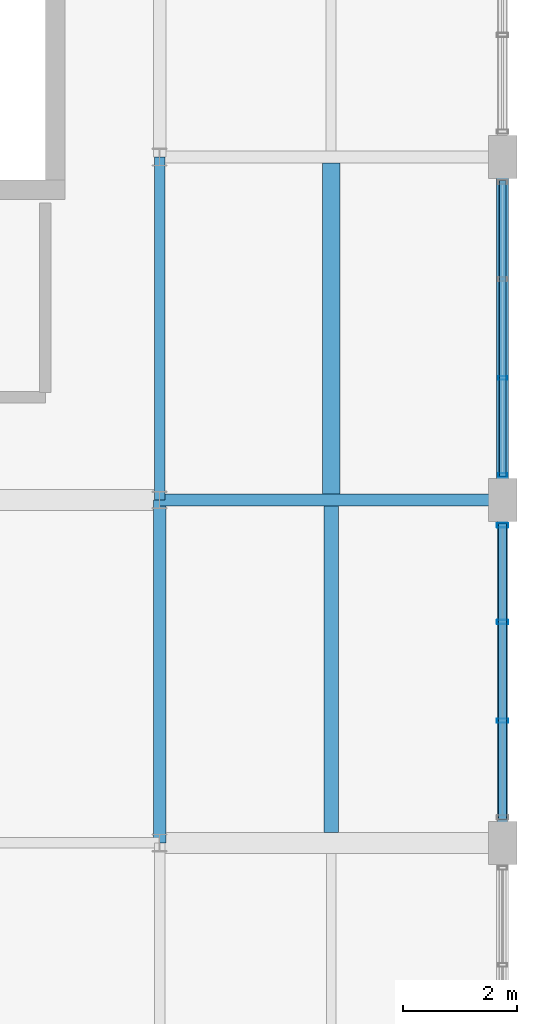
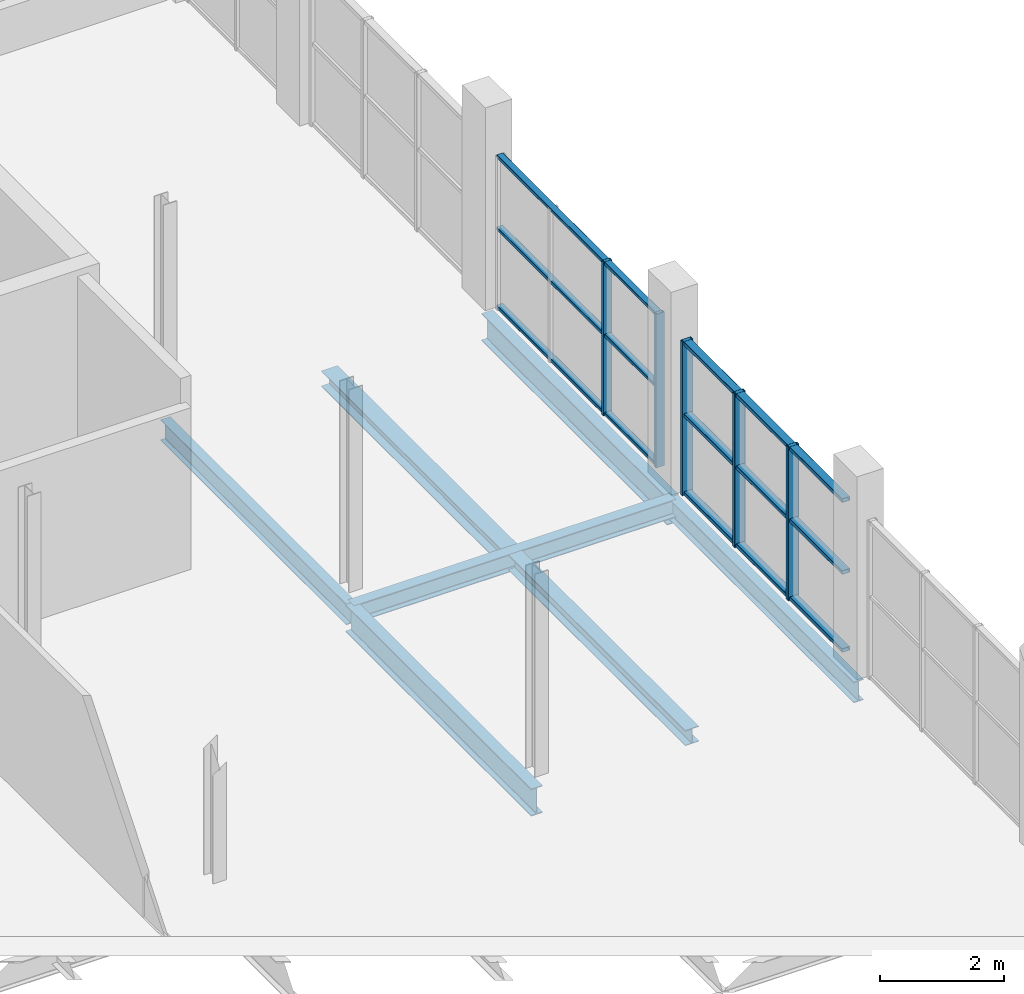
# One storey, part 66 of 96: 11 members, 7 beams, 2 elements without a shape of their own.
"""IFC4 building model written with IfcOpenShell, lengths in metres."""

from ifc_helpers import new_model, si_unit, direction, frame, origin, origin_2d, place, context, subcontext, project, spatial, hollow_rectangle, i_section, extrude, material, material_profile, profile_set, type_object, element, aggregate, save


model = new_model("IFC4")

# Units and contexts
model_context = context("Model", 3, precision=1e-05, world=origin(), true_north=direction((0.0, 1.0)))
body_context = subcontext(model_context, "Body", "Model", "MODEL_VIEW")
ifc_project = project(units=[si_unit("LENGTHUNIT", "METRE"), si_unit("AREAUNIT", "SQUARE_METRE"), si_unit("VOLUMEUNIT", "CUBIC_METRE"), si_unit("PLANEANGLEUNIT", "RADIAN"), si_unit("MASSUNIT", "GRAM", prefix="KILO")], contexts=[model_context])

# Site, building, storey
site_placement = place(None, origin())
site = spatial("IfcSite", under=ifc_project, at=site_placement, CompositionType="ELEMENT")
building_placement = place(site_placement, origin())
building = spatial("IfcBuilding", under=site, at=building_placement, Name="Verrall Gate Interchange", CompositionType="ELEMENT")
storey_placement = place(building_placement, frame((0.0, 0.0, 11.39990234375)))
storey = spatial("IfcBuildingStorey", under=building, at=storey_placement, Name="L03", CompositionType="ELEMENT", Elevation=11.39990234375)

# Beams
ifc_material_1 = material(Name="Structural Steel CSA G40.21 350W", Category="steel")
ifc_material_profile_1 = material_profile(ifc_material_1, i_section(OverallWidth=0.2109375, OverallDepth=0.5390625, WebThickness=0.01171875, FlangeThickness=0.018798828125, FilletRadius=0.013916015625, at=origin_2d()), Name="W530x109")
ifc_profile_set_1 = profile_set([ifc_material_profile_1], Name="Structural Steel CSA G40.21 350W")
beam_type_1 = type_object("IfcBeamType", Name="B-10 Structural Beam W530x109", PredefinedType="BEAM", material=ifc_profile_set_1)
for number, where, z_axis, x_axis, name in (
    (1, (162.0, 22.0, -0.599365234375), (0.0, 1.0, 0.0), (-1.0, 0.0, 0.0), "L03 Girder BM-L03-2365 (B-10)"),
    (2, (168.0, 28.0, -0.599365234375), (0.0, 1.0, 0.0), (-1.0, 0.0, 0.0), "L03 Girder BM-L03-2374 (B-10)"),
):
    element("IfcBeam", number, at=place(storey_placement, frame(where, z_axis=z_axis, x_axis=x_axis)), inside=storey, type_object=beam_type_1, Name=name, PredefinedType="BEAM", context=body_context, shape_type="SweptSolid", body=[
        extrude(i_section(OverallWidth=0.2109375, OverallDepth=0.5390625, WebThickness=0.01171875, FlangeThickness=0.018798828125, FilletRadius=0.013916015625, at=origin_2d()), origin(), (0.0, 0.0, 1.0), 6.0),
    ])
ifc_material_2 = material(Name="Structural Steel CSA G40.21 350W", Category="steel")
ifc_material_profile_2 = material_profile(ifc_material_2, i_section(OverallWidth=0.178955078125, OverallDepth=0.409912109375, WebThickness=0.0087890625, FlangeThickness=0.014404296875, FilletRadius=0.011962890625, at=origin_2d()), Name="W410x67")
ifc_profile_set_2 = profile_set([ifc_material_profile_2], Name="Structural Steel CSA G40.21 350W")
beam_type_2 = type_object("IfcBeamType", Name="B-12 Structural Beam W410x67", PredefinedType="BEAM", material=ifc_profile_set_2)
for number, where, z_axis, x_axis, name in (
    (3, (162.0, 28.0, -0.534912109375), (0.0, 1.0, 0.0), (-1.0, 0.0, 0.0), "L03 Girder BM-L03-2366 (B-12)"),
    (4, (168.0, 22.0, -0.534912109375), (0.0, 1.0, 0.0), (-1.0, 0.0, 0.0), "L03 Girder BM-L03-2373 (B-12)"),
):
    element("IfcBeam", number, at=place(storey_placement, frame(where, z_axis=z_axis, x_axis=x_axis)), inside=storey, type_object=beam_type_2, Name=name, PredefinedType="BEAM", context=body_context, shape_type="SweptSolid", body=[
        extrude(i_section(OverallWidth=0.178955078125, OverallDepth=0.409912109375, WebThickness=0.0087890625, FlangeThickness=0.014404296875, FilletRadius=0.011962890625, at=origin_2d()), origin(), (0.0, 0.0, 1.0), 6.0),
    ])
ifc_material_3 = material(Name="Structural Steel CSA G40.21 350W", Category="steel")
ifc_material_profile_3 = material_profile(ifc_material_3, i_section(OverallWidth=0.205078125, OverallDepth=0.35400390625, WebThickness=0.009521484375, FlangeThickness=0.016845703125, FilletRadius=0.012939453125, at=origin_2d()), Name="W360x79")
ifc_profile_set_3 = profile_set([ifc_material_profile_3], Name="Structural Steel CSA G40.21 350W")
beam_type_3 = type_object("IfcBeamType", Name="B-14 Structural Beam W360x79", PredefinedType="BEAM", material=ifc_profile_set_3)
beam_1_placement = place(storey_placement, frame((162.0, 28.0, -0.5068359375), z_axis=(1.0, 0.0, 0.0), x_axis=(0.0, 1.0, 0.0)))
element("IfcBeam", 5, at=beam_1_placement, inside=storey, type_object=beam_type_3, Name="L03 Girder BM-L03-2065 (B-14)", PredefinedType="BEAM", context=body_context, shape_type="SweptSolid", body=[
    extrude(i_section(OverallWidth=0.205078125, OverallDepth=0.35400390625, WebThickness=0.009521484375, FlangeThickness=0.016845703125, FilletRadius=0.012939453125, at=origin_2d()), origin(), (0.0, 0.0, 1.0), 6.0),
])

# Curtain wall, members
ifc_material_4 = material(Name="Thermally Broken Anodized Aluminium Curtain Wall Framing", Category="aluminium")
curtain_wall_type = type_object("IfcCurtainWallType", Name="CW-39 Unitized Curtain Wall 5186x3030", PredefinedType="NOTDEFINED", material=ifc_material_4)
curtain_wall_1_placement = place(storey_placement, origin())
curtain_wall_1 = element("IfcCurtainWall", 6, at=curtain_wall_1_placement, inside=storey, type_object=curtain_wall_type, Name="L03 Unitized Curtain Wall CW-L03-118", PredefinedType="NOTDEFINED")
ifc_material_5 = material(Name="Thermally Broken Anodized Aluminium Curtain Wall Framing", Category="aluminium")
ifc_material_profile_4 = material_profile(ifc_material_5, hollow_rectangle(XDim=0.06494140625, YDim=0.159912109375, WallThickness=0.00390625, InnerFilletRadius=0.00390625, OuterFilletRadius=0.008056640625, at=origin_2d()), Name="CWM160x65x4")
ifc_profile_set_4 = profile_set([ifc_material_profile_4], Name="Thermally Broken Anodized Aluminium Curtain Wall Framing")
member_type_1 = type_object("IfcMemberType", Name="CM-01 Curtain Mullion CWM160x65x4", PredefinedType="MULLION", material=ifc_profile_set_4)
member_1_placement = place(storey_placement, frame((168.0, 28.439453125, 0.0), z_axis=(0.0, 0.0, 1.0), x_axis=(0.0, 1.0, 0.0)))
member_1 = element("IfcMember", 7, at=member_1_placement, type_object=member_type_1, Name="CW-L03-118 Mullion 1", PredefinedType="MULLION", context=body_context, shape_type="SweptSolid", body=[
    extrude(hollow_rectangle(XDim=0.06494140625, YDim=0.159912109375, WallThickness=0.00390625, InnerFilletRadius=0.00390625, OuterFilletRadius=0.008056640625, at=origin_2d()), origin(), (0.0, 0.0, 1.0), 3.030029296875),
])
member_2_placement = place(storey_placement, frame((168.0, 30.1357421875, 0.0), z_axis=(0.0, 0.0, 1.0), x_axis=(0.0, 1.0, 0.0)))
member_2 = element("IfcMember", 8, at=member_2_placement, type_object=member_type_1, Name="CW-L03-118 Mullion 2", PredefinedType="MULLION", context=body_context, shape_type="SweptSolid", body=[
    extrude(hollow_rectangle(XDim=0.06494140625, YDim=0.159912109375, WallThickness=0.00390625, InnerFilletRadius=0.00390625, OuterFilletRadius=0.008056640625, at=origin_2d()), origin(), (0.0, 0.0, 1.0), 3.030029296875),
])

curtain_wall_2_placement = place(storey_placement, origin())
curtain_wall_2 = element("IfcCurtainWall", 9, at=curtain_wall_2_placement, inside=storey, type_object=curtain_wall_type, Name="L03 Unitized Curtain Wall CW-L03-117", PredefinedType="NOTDEFINED")
ifc_material_6 = material(Name="Thermally Broken Anodized Aluminium Curtain Wall Framing", Category="aluminium")
ifc_material_profile_5 = material_profile(ifc_material_6, hollow_rectangle(XDim=0.074951171875, YDim=0.199951171875, WallThickness=0.0048828125, InnerFilletRadius=0.0048828125, OuterFilletRadius=0.010009765625, at=origin_2d()), Name="CWM200x75x5")
ifc_profile_set_5 = profile_set([ifc_material_profile_5], Name="Thermally Broken Anodized Aluminium Curtain Wall Framing")
member_type_2 = type_object("IfcMemberType", Name="CM-02 Curtain Mullion CWM200x75x5", PredefinedType="MULLION", material=ifc_profile_set_5)
member_3_placement = place(storey_placement, frame((168.0, 24.1357421875, 0.0), z_axis=(0.0, 0.0, 1.0), x_axis=(0.0, 1.0, 0.0)))
member_3 = element("IfcMember", 10, at=member_3_placement, type_object=member_type_2, Name="CW-L03-117 Mullion 2", PredefinedType="MULLION", context=body_context, shape_type="SweptSolid", body=[
    extrude(hollow_rectangle(XDim=0.074951171875, YDim=0.199951171875, WallThickness=0.0048828125, InnerFilletRadius=0.0048828125, OuterFilletRadius=0.010009765625, at=origin_2d()), origin(), (0.0, 0.0, 1.0), 3.030029296875),
])
member_4_placement = place(storey_placement, frame((168.0, 25.8642578125, 0.0), z_axis=(0.0, 0.0, 1.0), x_axis=(0.0, 1.0, 0.0)))
member_4 = element("IfcMember", 11, at=member_4_placement, type_object=member_type_2, Name="CW-L03-117 Mullion 3", PredefinedType="MULLION", context=body_context, shape_type="SweptSolid", body=[
    extrude(hollow_rectangle(XDim=0.074951171875, YDim=0.199951171875, WallThickness=0.0048828125, InnerFilletRadius=0.0048828125, OuterFilletRadius=0.010009765625, at=origin_2d()), origin(), (0.0, 0.0, 1.0), 3.030029296875),
])
member_5_placement = place(storey_placement, frame((168.0, 27.555419921875, 0.0), z_axis=(0.0, 0.0, 1.0), x_axis=(0.0, 1.0, 0.0)))
member_5 = element("IfcMember", 12, at=member_5_placement, type_object=member_type_2, Name="CW-L03-117 Mullion 4", PredefinedType="MULLION", context=body_context, shape_type="SweptSolid", body=[
    extrude(hollow_rectangle(XDim=0.074951171875, YDim=0.199951171875, WallThickness=0.0048828125, InnerFilletRadius=0.0048828125, OuterFilletRadius=0.010009765625, at=origin_2d()), origin(), (0.0, 0.0, 1.0), 3.030029296875),
])

# Member
ifc_material_7 = material(Name="Thermally Broken Anodized Aluminium Curtain Wall Framing", Category="aluminium")
ifc_material_profile_6 = material_profile(ifc_material_7, hollow_rectangle(XDim=0.1201171875, YDim=0.06494140625, WallThickness=0.00390625, InnerFilletRadius=0.00390625, OuterFilletRadius=0.008056640625, at=origin_2d()), Name="CWT120x65x4")
ifc_profile_set_6 = profile_set([ifc_material_profile_6], Name="Thermally Broken Anodized Aluminium Curtain Wall Framing")
member_type_3 = type_object("IfcMemberType", Name="CT-01 Curtain Transom CWT120x65x4", PredefinedType="USERDEFINED", material=ifc_profile_set_6)
member_6_placement = place(storey_placement, frame((168.0, 28.406982421875, 0.03271484375), z_axis=(0.0, 1.0, 0.0), x_axis=(-1.0, 0.0, 0.0)))
member_6 = element("IfcMember", 13, at=member_6_placement, type_object=member_type_3, Name="CW-L03-118 Transom 1", ObjectType="TRANSOM", PredefinedType="USERDEFINED", context=body_context, shape_type="SweptSolid", body=[
    extrude(hollow_rectangle(XDim=0.1201171875, YDim=0.06494140625, WallThickness=0.00390625, InnerFilletRadius=0.00390625, OuterFilletRadius=0.008056640625, at=origin_2d()), origin(), (0.0, 0.0, 1.0), 5.18603515625),
])

member_7_placement = place(storey_placement, frame((168.0, 28.406982421875, 1.57568359375), z_axis=(0.0, 1.0, 0.0), x_axis=(-1.0, 0.0, 0.0)))
member_7 = element("IfcMember", 14, at=member_7_placement, type_object=member_type_3, Name="CW-L03-118 Transom 2", ObjectType="TRANSOM", PredefinedType="USERDEFINED", context=body_context, shape_type="SweptSolid", body=[
    extrude(hollow_rectangle(XDim=0.1201171875, YDim=0.06494140625, WallThickness=0.00390625, InnerFilletRadius=0.00390625, OuterFilletRadius=0.008056640625, at=origin_2d()), origin(), (0.0, 0.0, 1.0), 5.18603515625),
])

member_8_placement = place(storey_placement, frame((168.0, 28.406982421875, 2.99755859375), z_axis=(0.0, 1.0, 0.0), x_axis=(-1.0, 0.0, 0.0)))
member_8 = element("IfcMember", 15, at=member_8_placement, type_object=member_type_3, Name="CW-L03-118 Transom 3", ObjectType="TRANSOM", PredefinedType="USERDEFINED", context=body_context, shape_type="SweptSolid", body=[
    extrude(hollow_rectangle(XDim=0.1201171875, YDim=0.06494140625, WallThickness=0.00390625, InnerFilletRadius=0.00390625, OuterFilletRadius=0.008056640625, at=origin_2d()), origin(), (0.0, 0.0, 1.0), 5.18603515625),
])

aggregate(curtain_wall_1, [member_1, member_2, member_6, member_7, member_8])

ifc_material_8 = material(Name="Thermally Broken Anodized Aluminium Curtain Wall Framing", Category="aluminium")
ifc_material_profile_7 = material_profile(ifc_material_8, hollow_rectangle(XDim=0.14990234375, YDim=0.074951171875, WallThickness=0.00439453125, InnerFilletRadius=0.00439453125, OuterFilletRadius=0.009033203125, at=origin_2d()), Name="CWT150x75x4.5")
ifc_profile_set_7 = profile_set([ifc_material_profile_7], Name="Thermally Broken Anodized Aluminium Curtain Wall Framing")
member_type_4 = type_object("IfcMemberType", Name="CT-02 Curtain Transom CWT150x75x4.5", PredefinedType="USERDEFINED", material=ifc_profile_set_7)
member_9_placement = place(storey_placement, frame((168.0, 22.406982421875, 0.03759765625), z_axis=(0.0, 1.0, 0.0), x_axis=(-1.0, 0.0, 0.0)))
member_9 = element("IfcMember", 16, at=member_9_placement, type_object=member_type_4, Name="CW-L03-117 Transom 1", ObjectType="TRANSOM", PredefinedType="USERDEFINED", context=body_context, shape_type="SweptSolid", body=[
    extrude(hollow_rectangle(XDim=0.14990234375, YDim=0.074951171875, WallThickness=0.00439453125, InnerFilletRadius=0.00439453125, OuterFilletRadius=0.009033203125, at=origin_2d()), origin(), (0.0, 0.0, 1.0), 5.18603515625),
])

member_10_placement = place(storey_placement, frame((168.0, 22.406982421875, 1.57568359375), z_axis=(0.0, 1.0, 0.0), x_axis=(-1.0, 0.0, 0.0)))
member_10 = element("IfcMember", 17, at=member_10_placement, type_object=member_type_4, Name="CW-L03-117 Transom 2", ObjectType="TRANSOM", PredefinedType="USERDEFINED", context=body_context, shape_type="SweptSolid", body=[
    extrude(hollow_rectangle(XDim=0.14990234375, YDim=0.074951171875, WallThickness=0.00439453125, InnerFilletRadius=0.00439453125, OuterFilletRadius=0.009033203125, at=origin_2d()), origin(), (0.0, 0.0, 1.0), 5.18603515625),
])

member_11_placement = place(storey_placement, frame((168.0, 22.406982421875, 2.99267578125), z_axis=(0.0, 1.0, 0.0), x_axis=(-1.0, 0.0, 0.0)))
member_11 = element("IfcMember", 18, at=member_11_placement, type_object=member_type_4, Name="CW-L03-117 Transom 3", ObjectType="TRANSOM", PredefinedType="USERDEFINED", context=body_context, shape_type="SweptSolid", body=[
    extrude(hollow_rectangle(XDim=0.14990234375, YDim=0.074951171875, WallThickness=0.00439453125, InnerFilletRadius=0.00439453125, OuterFilletRadius=0.009033203125, at=origin_2d()), origin(), (0.0, 0.0, 1.0), 5.18603515625),
])

aggregate(curtain_wall_2, [member_3, member_4, member_5, member_9, member_10, member_11])

# Beams
ifc_material_9 = material(Name="Structural Steel CSA G40.21 350W", Category="steel")
ifc_material_profile_8 = material_profile(ifc_material_9, i_section(OverallWidth=0.306884765625, OverallDepth=0.31396484375, WebThickness=0.011962890625, FlangeThickness=0.018798828125, FilletRadius=0.013916015625, at=origin_2d()), Name="W310x118")
ifc_profile_set_8 = profile_set([ifc_material_profile_8], Name="Structural Steel CSA G40.21 350W")
beam_type_4 = type_object("IfcBeamType", Name="J-02 Floor Joist W310x118", PredefinedType="JOIST", material=ifc_profile_set_8)
beam_2_placement = place(storey_placement, frame((165.0, 28.1025390625, -0.48681640625), z_axis=(0.0, 1.0, 0.0), x_axis=(-1.0, 0.0, 0.0)))
element("IfcBeam", 19, at=beam_2_placement, inside=storey, type_object=beam_type_4, Name="L03 Secondary Floor Joist JST-L03-2446", PredefinedType="JOIST", context=body_context, shape_type="SweptSolid", body=[
    extrude(i_section(OverallWidth=0.306884765625, OverallDepth=0.31396484375, WebThickness=0.011962890625, FlangeThickness=0.018798828125, FilletRadius=0.013916015625, at=origin_2d()), origin(), (0.0, 0.0, 1.0), 5.7919921875),
])
ifc_material_10 = material(Name="Structural Steel CSA G40.21 350W", Category="steel")
ifc_material_profile_9 = material_profile(ifc_material_10, i_section(OverallWidth=0.25390625, OverallDepth=0.305908203125, WebThickness=0.0087890625, FlangeThickness=0.0146484375, FilletRadius=0.012939453125, at=origin_2d()), Name="W310x79")
ifc_profile_set_9 = profile_set([ifc_material_profile_9], Name="Structural Steel CSA G40.21 350W")
beam_type_5 = type_object("IfcBeamType", Name="J-03 Floor Joist W310x79", PredefinedType="JOIST", material=ifc_profile_set_9)
beam_3_placement = place(storey_placement, frame((165.0, 22.1845703125, -0.48291015625), z_axis=(0.0, 1.0, 0.0), x_axis=(-1.0, 0.0, 0.0)))
element("IfcBeam", 20, at=beam_3_placement, inside=storey, type_object=beam_type_5, Name="L03 Secondary Floor Joist JST-L03-2439", PredefinedType="JOIST", context=body_context, shape_type="SweptSolid", body=[
    extrude(i_section(OverallWidth=0.25390625, OverallDepth=0.305908203125, WebThickness=0.0087890625, FlangeThickness=0.0146484375, FilletRadius=0.012939453125, at=origin_2d()), origin(), (0.0, 0.0, 1.0), 5.712890625),
])

save(model, "model.ifc")
